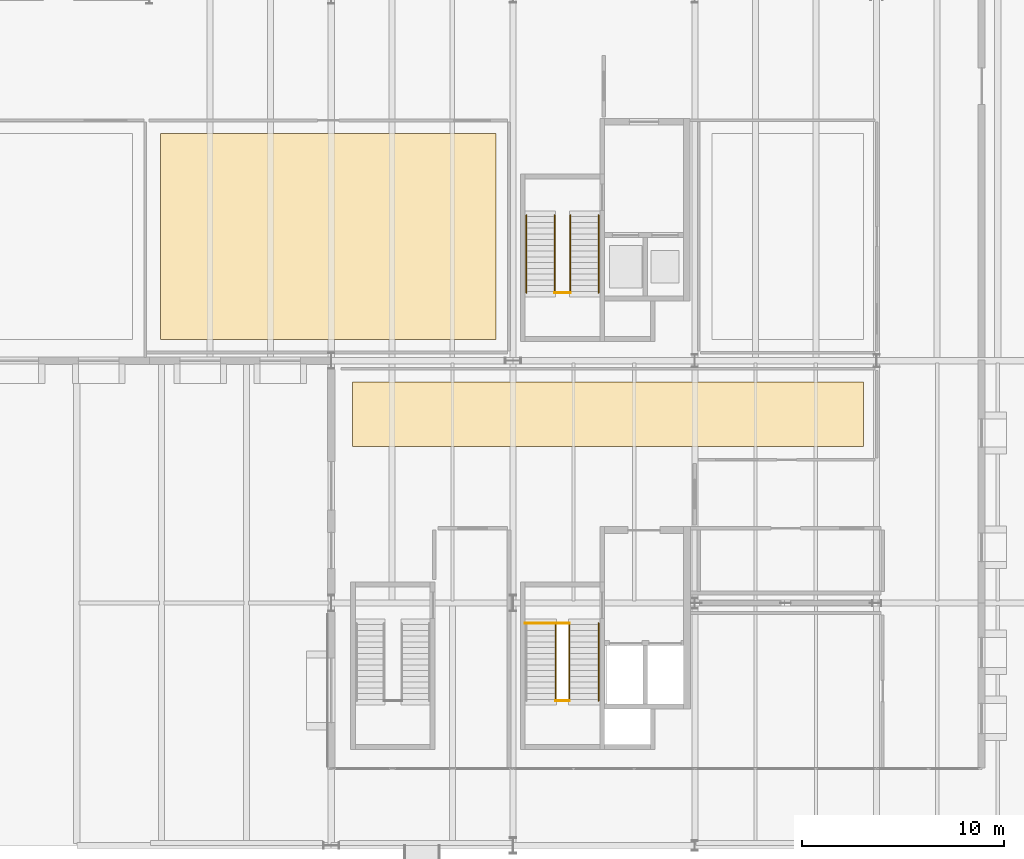
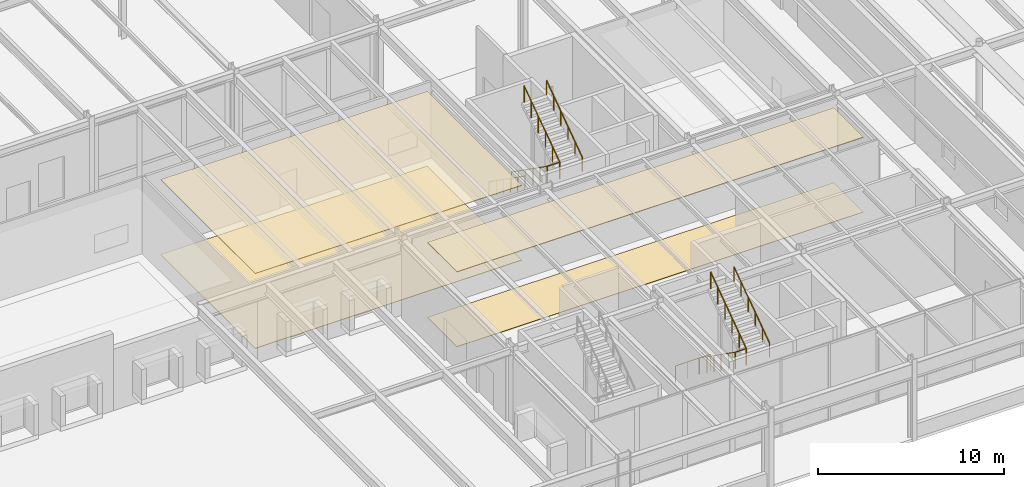
# One storey, part 133 of 143: 10 railings, 4 coverings.
"""IFC4 building model written with IfcOpenShell, lengths in metres."""

from ifc_helpers import new_model, si_unit, direction, frame, origin, origin_2d, place, context, subcontext, project, spatial, polyline, circle, outline, extrude, material, layer, layer_set, type_object, element, save


model = new_model("IFC4")

# Units and contexts
model_context = context("Model", 3, precision=1e-05, world=origin(), true_north=direction((0.0, 1.0)))
body_context = subcontext(model_context, "Body", "Model", "MODEL_VIEW")
ifc_project = project(units=[si_unit("LENGTHUNIT", "METRE"), si_unit("AREAUNIT", "SQUARE_METRE"), si_unit("VOLUMEUNIT", "CUBIC_METRE"), si_unit("PLANEANGLEUNIT", "RADIAN"), si_unit("MASSUNIT", "GRAM", prefix="KILO")], contexts=[model_context])

# Site, building, storey
site_placement = place(None, origin())
site = spatial("IfcSite", under=ifc_project, at=site_placement, CompositionType="ELEMENT")
building_placement = place(site_placement, origin())
building = spatial("IfcBuilding", under=site, at=building_placement, Name="Montelvaro Courts of Justice", CompositionType="ELEMENT")
storey_placement = place(building_placement, origin())
storey = spatial("IfcBuildingStorey", under=building, at=storey_placement, Name="L00", CompositionType="ELEMENT", Elevation=0.0)

# Coverings
ifc_material_1 = material(Name="Perforated acoustic gypsum ceiling")
ifc_layer_1 = layer(ifc_material_1, 0.0400390625)
ifc_layer_set_1 = layer_set([ifc_layer_1], Name="Perforated acoustic gypsum ceiling")
covering_type_1 = type_object("IfcCoveringType", Name="AcousticCeiling_Court", PredefinedType="CEILING", material=ifc_layer_set_1)
covering_1_placement = place(storey_placement, frame((0.0, 0.0, 4.919921875)))
element("IfcCovering", 1, at=covering_1_placement, inside=storey, type_object=covering_type_1, Name="Acoustic Ceiling Panel AC-01 (L00-29)", PredefinedType="CEILING", context=body_context, shape_type="SweptSolid", body=[
    extrude(outline(polyline([(53.14990234375, 35.25), (53.14990234375, 25.050048828125), (36.550048828125, 25.050048828125), (36.550048828125, 35.25), (53.14990234375, 35.25)])), origin(), (0.0, 0.0, 1.0), 0.0400390625),
])
covering_2_placement = place(storey_placement, frame((0.0, 0.0, 4.919921875)))
element("IfcCovering", 2, at=covering_2_placement, inside=storey, type_object=covering_type_1, Name="Acoustic Ceiling Panel AC-01 (L00-39)", PredefinedType="CEILING", context=body_context, shape_type="SweptSolid", body=[
    extrude(outline(polyline([(46.050048828125, 19.75), (46.050048828125, 22.949951171875), (71.35009765625, 22.949951171875), (71.35009765625, 19.75), (63.090087890625, 19.75), (63.050048828125, 19.748046875), (63.010009765625, 19.75), (46.050048828125, 19.75)])), origin(), (0.0, 0.0, 1.0), 0.0400390625),
])

# Railings
ifc_material_2 = material(Name="Steel S355", Category="steel")
railing_type_1 = type_object("IfcRailingType", Name="InteriorGuard_1100", PredefinedType="BALUSTRADE", material=ifc_material_2)
railing_1_placement = place(storey_placement, frame((54.60009765625, 11.0, 0.0)))
element("IfcRailing", 3, at=railing_1_placement, inside=storey, type_object=railing_type_1, Name="Stair Well Guard GR-02 ST-K1-B01-TLG", PredefinedType="BALUSTRADE", context=body_context, shape_type="SweptSolid", body=[
    extrude(circle(Radius=0.02392578125, at=origin_2d()), frame((0.0, 0.0, 1.076171875), z_axis=(1.0, 0.0, 0.0), x_axis=(0.0, 1.0, 0.0)), (0.0, 0.0, 1.0), 2.18994140625),
    extrude(circle(Radius=0.02099609375, at=origin_2d()), origin(), (0.0, 0.0, 1.0), 1.052001953125),
    extrude(circle(Radius=0.02099609375, at=origin_2d()), frame((0.72998046875, 0.0, 0.0)), (0.0, 0.0, 1.0), 1.052001953125),
    extrude(circle(Radius=0.02099609375, at=origin_2d()), frame((1.4599609375, 0.0, 0.0)), (0.0, 0.0, 1.0), 1.052001953125),
    extrude(circle(Radius=0.02099609375, at=origin_2d()), frame((2.18994140625, 0.0, 0.0)), (0.0, 0.0, 1.0), 1.052001953125),
])
railing_2_placement = place(storey_placement, frame((56.110107421875, 11.0, 0.0)))
element("IfcRailing", 4, at=railing_2_placement, inside=storey, type_object=railing_type_1, Name="Stair Well Guard GR-02 ST-K1-L00-F1G", PredefinedType="BALUSTRADE", context=body_context, shape_type="SweptSolid", body=[
    extrude(circle(Radius=0.02392578125, at=origin_2d()), frame((0.0, 0.0, 1.076171875), z_axis=(0.0, -0.81767845864, 0.575675202069), x_axis=(1.0, 0.0, 0.0)), (0.0, 0.0, 1.0), 4.68994140625),
    extrude(circle(Radius=0.02099609375, at=origin_2d()), origin(), (0.0, 0.0, 1.0), 1.052001953125),
    extrude(circle(Radius=0.02099609375, at=origin_2d()), frame((0.0, -0.76708984375, 0.5400390625)), (0.0, 0.0, 1.0), 1.052001953125),
    extrude(circle(Radius=0.02099609375, at=origin_2d()), frame((0.0, -1.533935546875, 1.080078125)), (0.0, 0.0, 1.0), 1.052001953125),
    extrude(circle(Radius=0.02099609375, at=origin_2d()), frame((0.0, -2.301025390625, 1.619873046875)), (0.0, 0.0, 1.0), 1.052001953125),
    extrude(circle(Radius=0.02099609375, at=origin_2d()), frame((0.0, -3.06787109375, 2.159912109375)), (0.0, 0.0, 1.0), 1.052001953125),
    extrude(circle(Radius=0.02099609375, at=origin_2d()), frame((0.0, -3.8349609375, 2.699951171875)), (0.0, 0.0, 1.0), 1.052001953125),
])
railing_3_placement = place(storey_placement, frame((56.7900390625, 7.1650390625, 2.699951171875)))
element("IfcRailing", 5, at=railing_3_placement, inside=storey, type_object=railing_type_1, Name="Stair Well Guard GR-02 ST-K1-L00-F2G", PredefinedType="BALUSTRADE", context=body_context, shape_type="SweptSolid", body=[
    extrude(circle(Radius=0.02392578125, at=origin_2d()), frame((0.0, 0.0, 1.076171875), z_axis=(0.0, 0.81767845864, 0.575675202069), x_axis=(-1.0, 0.0, 0.0)), (0.0, 0.0, 1.0), 4.68994140625),
    extrude(circle(Radius=0.02099609375, at=origin_2d()), origin(), (0.0, 0.0, 1.0), 1.052001953125),
    extrude(circle(Radius=0.02099609375, at=origin_2d()), frame((0.0, 0.76708984375, 0.5400390625)), (0.0, 0.0, 1.0), 1.052001953125),
    extrude(circle(Radius=0.02099609375, at=origin_2d()), frame((0.0, 1.533935546875, 1.080078125)), (0.0, 0.0, 1.0), 1.052001953125),
    extrude(circle(Radius=0.02099609375, at=origin_2d()), frame((0.0, 2.301025390625, 1.619873046875)), (0.0, 0.0, 1.0), 1.052001953125),
    extrude(circle(Radius=0.02099609375, at=origin_2d()), frame((0.0, 3.06787109375, 2.159912109375)), (0.0, 0.0, 1.0), 1.052001953125),
    extrude(circle(Radius=0.02099609375, at=origin_2d()), frame((0.0, 3.8349609375, 2.699951171875)), (0.0, 0.0, 1.0), 1.052001953125),
])
railing_4_placement = place(storey_placement, frame((56.110107421875, 7.1650390625, 2.699951171875)))
element("IfcRailing", 6, at=railing_4_placement, inside=storey, type_object=railing_type_1, Name="Stair Well Guard GR-02 ST-K1-L00-MLG", PredefinedType="BALUSTRADE", context=body_context, shape_type="SweptSolid", body=[
    extrude(circle(Radius=0.02392578125, at=origin_2d()), frame((0.0, 0.0, 1.076171875), z_axis=(1.0, 0.0, 0.0), x_axis=(0.0, 1.0, 0.0)), (0.0, 0.0, 1.0), 0.679931640625),
    extrude(circle(Radius=0.02099609375, at=origin_2d()), origin(), (0.0, 0.0, 1.0), 1.052001953125),
    extrude(circle(Radius=0.02099609375, at=origin_2d()), frame((0.679931640625, 0.0, 0.0)), (0.0, 0.0, 1.0), 1.052001953125),
])
railing_5_placement = place(storey_placement, frame((56.06005859375, 31.199951171875, 0.0)))
element("IfcRailing", 7, at=railing_5_placement, inside=storey, type_object=railing_type_1, Name="Stair Well Guard GR-02 ST-W1-L00-F1G", PredefinedType="BALUSTRADE", context=body_context, shape_type="SweptSolid", body=[
    extrude(circle(Radius=0.02392578125, at=origin_2d()), frame((0.0, 0.0, 1.076171875), z_axis=(0.0, -0.81767845864, 0.575675202069), x_axis=(1.0, 0.0, 0.0)), (0.0, 0.0, 1.0), 4.68994140625),
    extrude(circle(Radius=0.02099609375, at=origin_2d()), origin(), (0.0, 0.0, 1.0), 1.052001953125),
    extrude(circle(Radius=0.02099609375, at=origin_2d()), frame((0.0, -0.76708984375, 0.5400390625)), (0.0, 0.0, 1.0), 1.052001953125),
    extrude(circle(Radius=0.02099609375, at=origin_2d()), frame((0.0, -1.533935546875, 1.080078125)), (0.0, 0.0, 1.0), 1.052001953125),
    extrude(circle(Radius=0.02099609375, at=origin_2d()), frame((0.0, -2.301025390625, 1.619873046875)), (0.0, 0.0, 1.0), 1.052001953125),
    extrude(circle(Radius=0.02099609375, at=origin_2d()), frame((0.0, -3.06787109375, 2.159912109375)), (0.0, 0.0, 1.0), 1.052001953125),
    extrude(circle(Radius=0.02099609375, at=origin_2d()), frame((0.0, -3.8349609375, 2.699951171875)), (0.0, 0.0, 1.0), 1.052001953125),
])
railing_6_placement = place(storey_placement, frame((56.840087890625, 27.364990234375, 2.699951171875)))
element("IfcRailing", 8, at=railing_6_placement, inside=storey, type_object=railing_type_1, Name="Stair Well Guard GR-02 ST-W1-L00-F2G", PredefinedType="BALUSTRADE", context=body_context, shape_type="SweptSolid", body=[
    extrude(circle(Radius=0.02392578125, at=origin_2d()), frame((0.0, 0.0, 1.076171875), z_axis=(0.0, 0.81767845864, 0.575675202069), x_axis=(-1.0, 0.0, 0.0)), (0.0, 0.0, 1.0), 4.68994140625),
    extrude(circle(Radius=0.02099609375, at=origin_2d()), origin(), (0.0, 0.0, 1.0), 1.052001953125),
    extrude(circle(Radius=0.02099609375, at=origin_2d()), frame((0.0, 0.76708984375, 0.5400390625)), (0.0, 0.0, 1.0), 1.052001953125),
    extrude(circle(Radius=0.02099609375, at=origin_2d()), frame((0.0, 1.533935546875, 1.080078125)), (0.0, 0.0, 1.0), 1.052001953125),
    extrude(circle(Radius=0.02099609375, at=origin_2d()), frame((0.0, 2.301025390625, 1.619873046875)), (0.0, 0.0, 1.0), 1.052001953125),
    extrude(circle(Radius=0.02099609375, at=origin_2d()), frame((0.0, 3.06787109375, 2.159912109375)), (0.0, 0.0, 1.0), 1.052001953125),
    extrude(circle(Radius=0.02099609375, at=origin_2d()), frame((0.0, 3.8349609375, 2.699951171875)), (0.0, 0.0, 1.0), 1.052001953125),
])
railing_7_placement = place(storey_placement, frame((56.06005859375, 27.364990234375, 2.699951171875)))
element("IfcRailing", 9, at=railing_7_placement, inside=storey, type_object=railing_type_1, Name="Stair Well Guard GR-02 ST-W1-L00-MLG", PredefinedType="BALUSTRADE", context=body_context, shape_type="SweptSolid", body=[
    extrude(circle(Radius=0.02392578125, at=origin_2d()), frame((0.0, 0.0, 1.076171875), z_axis=(1.0, 0.0, 0.0), x_axis=(0.0, 1.0, 0.0)), (0.0, 0.0, 1.0), 0.780029296875),
    extrude(circle(Radius=0.02099609375, at=origin_2d()), origin(), (0.0, 0.0, 1.0), 1.052001953125),
    extrude(circle(Radius=0.02099609375, at=origin_2d()), frame((0.780029296875, 0.0, 0.0)), (0.0, 0.0, 1.0), 1.052001953125),
])

# Coverings
ifc_material_3 = material(Name="Alicante limestone judicial flooring", Category="masonry")
ifc_layer_2 = layer(ifc_material_3, 0.030029296875)
ifc_layer_set_2 = layer_set([ifc_layer_2], Name="Alicante limestone judicial flooring")
covering_type_2 = type_object("IfcCoveringType", Name="JudicialStoneFlooring", PredefinedType="FLOORING", material=ifc_layer_set_2)
covering_3_placement = place(storey_placement, origin())
element("IfcCovering", 10, at=covering_3_placement, inside=storey, type_object=covering_type_2, Name="Judicial Stone Flooring FLR-01 (L00-29)", PredefinedType="FLOORING", context=body_context, shape_type="SweptSolid", body=[
    extrude(outline(polyline([(53.14990234375, 35.25), (53.14990234375, 25.050048828125), (36.550048828125, 25.050048828125), (36.550048828125, 35.25), (53.14990234375, 35.25)])), origin(), (0.0, 0.0, 1.0), 0.030029296875),
])
covering_4_placement = place(storey_placement, origin())
element("IfcCovering", 11, at=covering_4_placement, inside=storey, type_object=covering_type_2, Name="Judicial Stone Flooring FLR-01 (L00-39)", PredefinedType="FLOORING", context=body_context, shape_type="SweptSolid", body=[
    extrude(outline(polyline([(46.050048828125, 19.75), (46.050048828125, 22.949951171875), (71.35009765625, 22.949951171875), (71.35009765625, 19.75), (63.090087890625, 19.75), (63.050048828125, 19.748046875), (63.010009765625, 19.75), (46.050048828125, 19.75)])), origin(), (0.0, 0.0, 1.0), 0.030029296875),
])

# Railings
ifc_material_4 = material(Name="Austenitic stainless steel EN 1.4401", Category="steel")
railing_type_2 = type_object("IfcRailingType", Name="StairHandrail_950", PredefinedType="HANDRAIL", material=ifc_material_4)
railing_8_placement = place(storey_placement, frame((58.239990234375, 7.1650390625, 2.699951171875)))
element("IfcRailing", 12, at=railing_8_placement, inside=storey, type_object=railing_type_2, Name="Stair Pitch Handrail HR-01 ST-K1-L00-F2H", PredefinedType="HANDRAIL", context=body_context, shape_type="SweptSolid", body=[
    extrude(circle(Radius=0.02392578125, at=origin_2d()), frame((0.0, 0.0, 0.92578125), z_axis=(0.0, 0.81767845864, 0.575675202069), x_axis=(-1.0, 0.0, 0.0)), (0.0, 0.0, 1.0), 4.68994140625),
    extrude(circle(Radius=0.02099609375, at=origin_2d()), origin(), (0.0, 0.0, 1.0), 0.90185546875),
    extrude(circle(Radius=0.02099609375, at=origin_2d()), frame((0.0, 0.76708984375, 0.5400390625)), (0.0, 0.0, 1.0), 0.90185546875),
    extrude(circle(Radius=0.02099609375, at=origin_2d()), frame((0.0, 1.533935546875, 1.080078125)), (0.0, 0.0, 1.0), 0.90185546875),
    extrude(circle(Radius=0.02099609375, at=origin_2d()), frame((0.0, 2.301025390625, 1.619873046875)), (0.0, 0.0, 1.0), 0.90185546875),
    extrude(circle(Radius=0.02099609375, at=origin_2d()), frame((0.0, 3.06787109375, 2.159912109375)), (0.0, 0.0, 1.0), 0.90185546875),
    extrude(circle(Radius=0.02099609375, at=origin_2d()), frame((0.0, 3.8349609375, 2.699951171875)), (0.0, 0.0, 1.0), 0.90185546875),
])
railing_9_placement = place(storey_placement, frame((54.659912109375, 31.199951171875, 0.0)))
element("IfcRailing", 13, at=railing_9_placement, inside=storey, type_object=railing_type_2, Name="Stair Pitch Handrail HR-01 ST-W1-L00-F1H", PredefinedType="HANDRAIL", context=body_context, shape_type="SweptSolid", body=[
    extrude(circle(Radius=0.02392578125, at=origin_2d()), frame((0.0, 0.0, 0.92578125), z_axis=(0.0, -0.81767845864, 0.575675202069), x_axis=(1.0, 0.0, 0.0)), (0.0, 0.0, 1.0), 4.68994140625),
    extrude(circle(Radius=0.02099609375, at=origin_2d()), origin(), (0.0, 0.0, 1.0), 0.90185546875),
    extrude(circle(Radius=0.02099609375, at=origin_2d()), frame((0.0, -0.76708984375, 0.5400390625)), (0.0, 0.0, 1.0), 0.90185546875),
    extrude(circle(Radius=0.02099609375, at=origin_2d()), frame((0.0, -1.533935546875, 1.080078125)), (0.0, 0.0, 1.0), 0.90185546875),
    extrude(circle(Radius=0.02099609375, at=origin_2d()), frame((0.0, -2.301025390625, 1.619873046875)), (0.0, 0.0, 1.0), 0.90185546875),
    extrude(circle(Radius=0.02099609375, at=origin_2d()), frame((0.0, -3.06787109375, 2.159912109375)), (0.0, 0.0, 1.0), 0.90185546875),
    extrude(circle(Radius=0.02099609375, at=origin_2d()), frame((0.0, -3.8349609375, 2.699951171875)), (0.0, 0.0, 1.0), 0.90185546875),
])
railing_10_placement = place(storey_placement, frame((58.239990234375, 27.364990234375, 2.699951171875)))
element("IfcRailing", 14, at=railing_10_placement, inside=storey, type_object=railing_type_2, Name="Stair Pitch Handrail HR-01 ST-W1-L00-F2H", PredefinedType="HANDRAIL", context=body_context, shape_type="SweptSolid", body=[
    extrude(circle(Radius=0.02392578125, at=origin_2d()), frame((0.0, 0.0, 0.92578125), z_axis=(0.0, 0.81767845864, 0.575675202069), x_axis=(-1.0, 0.0, 0.0)), (0.0, 0.0, 1.0), 4.68994140625),
    extrude(circle(Radius=0.02099609375, at=origin_2d()), origin(), (0.0, 0.0, 1.0), 0.90185546875),
    extrude(circle(Radius=0.02099609375, at=origin_2d()), frame((0.0, 0.76708984375, 0.5400390625)), (0.0, 0.0, 1.0), 0.90185546875),
    extrude(circle(Radius=0.02099609375, at=origin_2d()), frame((0.0, 1.533935546875, 1.080078125)), (0.0, 0.0, 1.0), 0.90185546875),
    extrude(circle(Radius=0.02099609375, at=origin_2d()), frame((0.0, 2.301025390625, 1.619873046875)), (0.0, 0.0, 1.0), 0.90185546875),
    extrude(circle(Radius=0.02099609375, at=origin_2d()), frame((0.0, 3.06787109375, 2.159912109375)), (0.0, 0.0, 1.0), 0.90185546875),
    extrude(circle(Radius=0.02099609375, at=origin_2d()), frame((0.0, 3.8349609375, 2.699951171875)), (0.0, 0.0, 1.0), 0.90185546875),
])

save(model, "model.ifc")
